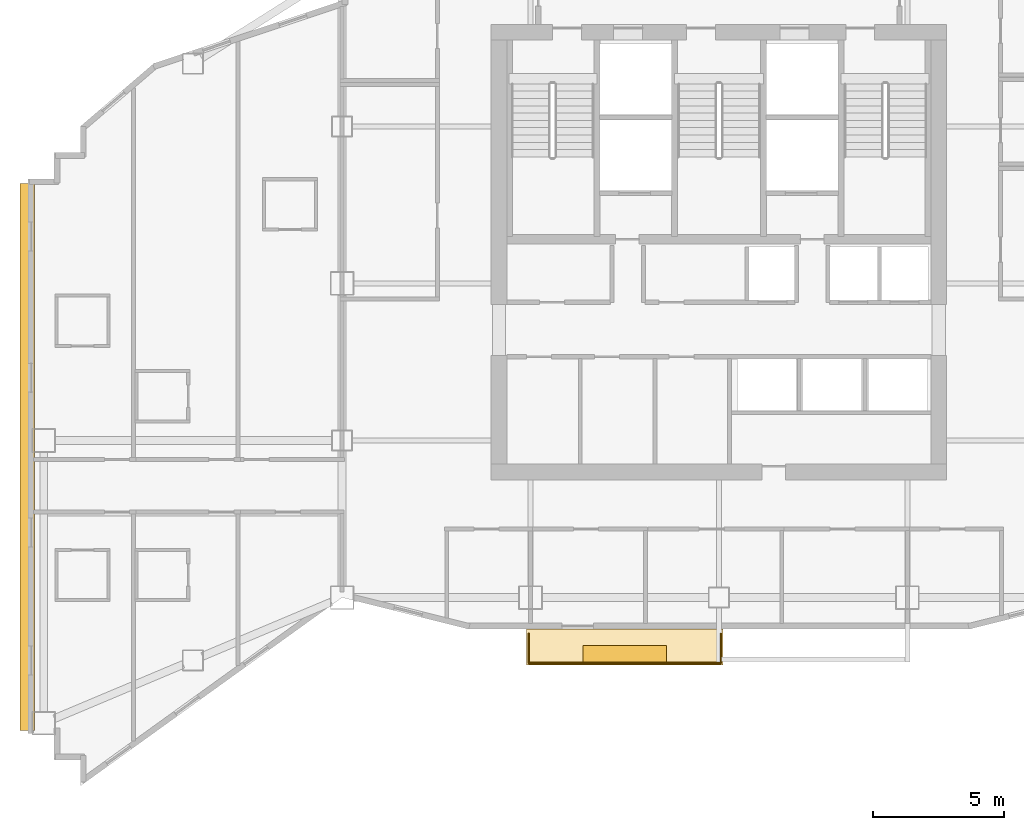
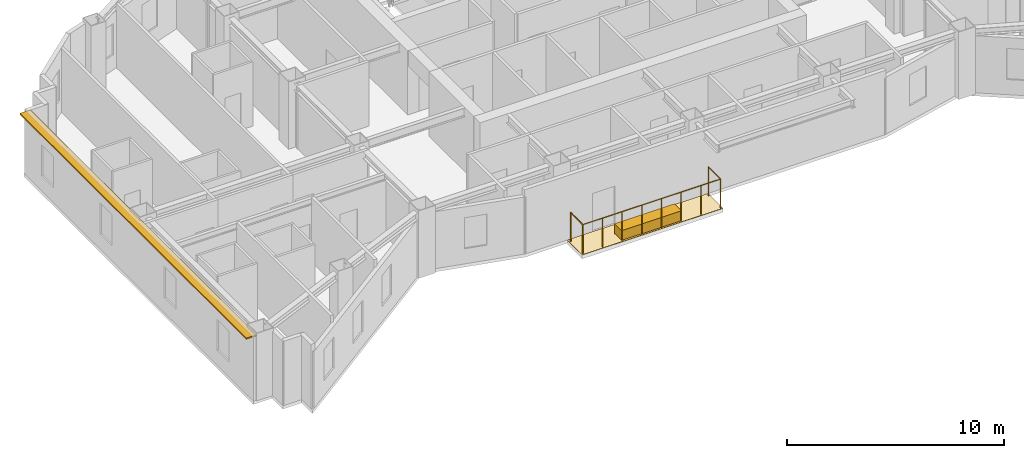
# One storey, part 11 of 13: 2 coverings, 2 railings, 1 shading device.
"""IFC4 building model written with IfcOpenShell, lengths in metres."""

from ifc_helpers import new_model, si_unit, direction, frame, origin, origin_2d, place, context, subcontext, project, spatial, polyline, rectangle, circle, outline, extrude, material, layer, layer_set, type_object, element, save


model = new_model("IFC4")

# Units and contexts
model_context = context("Model", 3, precision=1e-05, world=origin(), true_north=direction((0.0, 1.0)))
body_context = subcontext(model_context, "Body", "Model", "MODEL_VIEW")
ifc_project = project(units=[si_unit("LENGTHUNIT", "METRE"), si_unit("AREAUNIT", "SQUARE_METRE"), si_unit("VOLUMEUNIT", "CUBIC_METRE"), si_unit("PLANEANGLEUNIT", "RADIAN"), si_unit("MASSUNIT", "GRAM", prefix="KILO")], contexts=[model_context])

# Site, building, storey
site_placement = place(None, origin())
site = spatial("IfcSite", under=ifc_project, at=site_placement, CompositionType="ELEMENT")
building_placement = place(site_placement, origin())
building = spatial("IfcBuilding", under=site, at=building_placement, Name="Haolan Belvedere Tower", CompositionType="ELEMENT")
storey_placement = place(building_placement, frame((0.0, 0.0, 219.199951171875)))
storey = spatial("IfcBuildingStorey", under=building, at=storey_placement, Name="L55", CompositionType="ELEMENT", Elevation=219.199951171875)

# Coverings
ifc_material_1 = material(Name="Engineered lightweight planted garden soil substrate", Category="masonry")
ifc_layer_1 = layer(ifc_material_1, 0.550048828125, Name="Engineered lightweight planted garden soil substrate")
ifc_layer_set_1 = layer_set([ifc_layer_1], Name="Engineered lightweight planted garden soil substrate")
covering_type_1 = type_object("IfcCoveringType", Name="COV-PLANT-550", PredefinedType="MEMBRANE", material=ifc_layer_set_1)
covering_1_placement = place(storey_placement, frame((34.800048828125, 19.43994140625, 0.0), z_axis=(0.0, 0.0, 1.0), x_axis=(1.0, 0.0, 0.0)))
element("IfcCovering", 1, at=covering_1_placement, inside=storey, type_object=covering_type_1, Name="L55 structural tree balcony PLANTER box 1", PredefinedType="MEMBRANE", context=body_context, shape_type="SweptSolid", body=[
    extrude(rectangle(XDim=3.199951171875, YDim=0.64990234375, at=origin_2d()), origin(), (0.0, 0.0, 1.0), 0.550048828125),
])
ifc_material_2 = material(Name="Elastomeric waterproof roofing membrane and stone pavers", Category="masonry")
ifc_layer_2 = layer(ifc_material_2, 0.02001953125, Name="Elastomeric waterproof roofing membrane and stone pavers")
ifc_layer_set_2 = layer_set([ifc_layer_2], Name="Elastomeric waterproof roofing membrane and stone pavers")
covering_type_2 = type_object("IfcCoveringType", Name="COV-ROOF-20", PredefinedType="ROOFING", material=ifc_layer_set_2)
covering_2_placement = place(storey_placement, frame((0.0, 0.0, -0.02001953125)))
element("IfcCovering", 2, at=covering_2_placement, inside=storey, type_object=covering_type_2, Name="L55 tree-balcony waterproof membrane 1", PredefinedType="ROOFING", context=body_context, shape_type="SweptSolid", body=[
    extrude(outline(polyline([(31.050048828125, 19.02001953125), (38.550048828125, 19.02001953125), (38.550048828125, 20.39990234375), (31.050048828125, 20.39990234375), (31.050048828125, 19.02001953125)])), origin(), (0.0, 0.0, 1.0), 0.02001953125),
])

# Railings
ifc_material_3 = material(Name="Anodised aluminium and laminated glass balustrade", Category="aluminium")
railing_type = type_object("IfcRailingType", Name="RL-TER-BAL-1150", PredefinedType="BALUSTRADE", material=ifc_material_3)
railing_1_placement = place(storey_placement, frame((31.1298828125, 19.10009765625, 0.0)))
element("IfcRailing", 3, at=railing_1_placement, inside=storey, type_object=railing_type, Name="L55 outdoor perimeter balustrade BAL-L55-1-1", PredefinedType="BALUSTRADE", context=body_context, shape_type="SweptSolid", body=[
    extrude(circle(Radius=0.02392578125, at=origin_2d()), frame((0.0, 0.0, 1.6259765625), z_axis=(0.0, 1.0, 0.0), x_axis=(-1.0, 0.0, 0.0)), (0.0, 0.0, 1.0), 1.119873046875),
    extrude(circle(Radius=0.02099609375, at=origin_2d()), origin(), (0.0, 0.0, 1.0), 1.601806640625),
    extrude(circle(Radius=0.02099609375, at=origin_2d()), frame((0.0, 1.119873046875, 0.0)), (0.0, 0.0, 1.0), 1.601806640625),
])
railing_2_placement = place(storey_placement, frame((38.469970703125, 20.219970703125, 0.0)))
element("IfcRailing", 4, at=railing_2_placement, inside=storey, type_object=railing_type, Name="L55 outdoor perimeter balustrade BAL-L55-1-2", PredefinedType="BALUSTRADE", context=body_context, shape_type="SweptSolid", body=[
    extrude(circle(Radius=0.02392578125, at=origin_2d()), frame((0.0, 0.0, 1.6259765625), z_axis=(0.0, -1.0, 0.0), x_axis=(1.0, 0.0, 0.0)), (0.0, 0.0, 1.0), 1.119873046875),
    extrude(circle(Radius=0.02392578125, at=origin_2d()), frame((0.0, -1.119873046875, 1.6259765625), z_axis=(-1.0, 0.0, 0.0), x_axis=(0.0, -1.0, 0.0)), (0.0, 0.0, 1.0), 7.340087890625),
    extrude(circle(Radius=0.02099609375, at=origin_2d()), origin(), (0.0, 0.0, 1.0), 1.601806640625),
    extrude(circle(Radius=0.02099609375, at=origin_2d()), frame((0.0, -1.119873046875, 0.0)), (0.0, 0.0, 1.0), 1.601806640625),
    extrude(circle(Radius=0.02099609375, at=origin_2d()), frame((-1.048583984375, -1.119873046875, 0.0)), (0.0, 0.0, 1.0), 1.601806640625),
    extrude(circle(Radius=0.02099609375, at=origin_2d()), frame((-2.09716796875, -1.119873046875, 0.0)), (0.0, 0.0, 1.0), 1.601806640625),
    extrude(circle(Radius=0.02099609375, at=origin_2d()), frame((-3.145751953125, -1.119873046875, 0.0)), (0.0, 0.0, 1.0), 1.601806640625),
    extrude(circle(Radius=0.02099609375, at=origin_2d()), frame((-4.1943359375, -1.119873046875, 0.0)), (0.0, 0.0, 1.0), 1.601806640625),
    extrude(circle(Radius=0.02099609375, at=origin_2d()), frame((-5.242919921875, -1.119873046875, 0.0)), (0.0, 0.0, 1.0), 1.601806640625),
    extrude(circle(Radius=0.02099609375, at=origin_2d()), frame((-6.29150390625, -1.119873046875, 0.0)), (0.0, 0.0, 1.0), 1.601806640625),
    extrude(circle(Radius=0.02099609375, at=origin_2d()), frame((-7.340087890625, -1.119873046875, 0.0)), (0.0, 0.0, 1.0), 1.601806640625),
])

# Shading device
ifc_material_4 = material(Name="Anodised champagne-silver aluminium 6063-T6", Category="aluminium")
ifc_layer_3 = layer(ifc_material_4, 0.080078125, Name="Anodised champagne-silver aluminium 6063-T6")
ifc_layer_set_3 = layer_set([ifc_layer_3], Name="Anodised champagne-silver aluminium 6063-T6")
shading_device_type = type_object("IfcShadingDeviceType", Name="SHD-SUN-550", PredefinedType="USERDEFINED", material=ifc_layer_set_3)
shading_device_placement = place(storey_placement, frame((11.969970703125, 26.972412109375, 3.52001953125), z_axis=(0.0, 0.0, 1.0), x_axis=(0.0, -1.0, 0.0)))
element("IfcShadingDevice", 5, at=shading_device_placement, inside=storey, type_object=shading_device_type, Name="L55 pale-metal horizontal SUNSHADE band 35.1", ObjectType="SUNSHADE", PredefinedType="USERDEFINED", context=body_context, shape_type="SweptSolid", body=[
    extrude(rectangle(XDim=20.905029296875, YDim=0.550048828125, at=origin_2d()), origin(), (0.0, 0.0, 1.0), 0.080078125),
])

save(model, "model.ifc")
